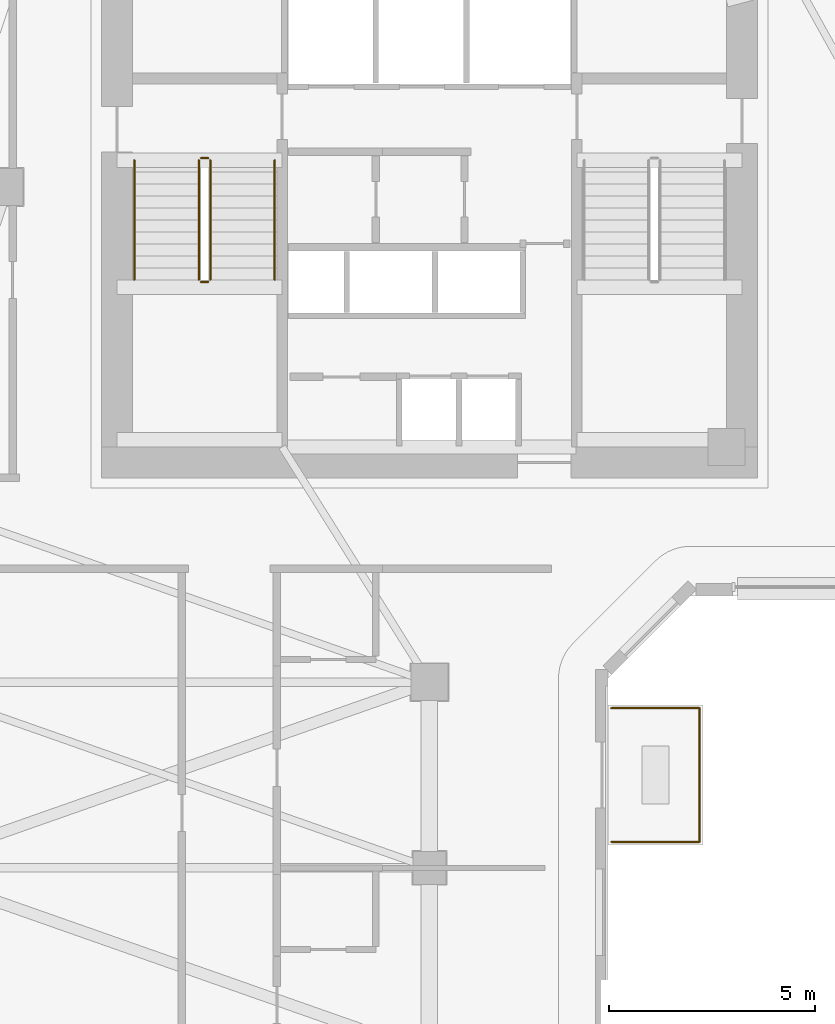
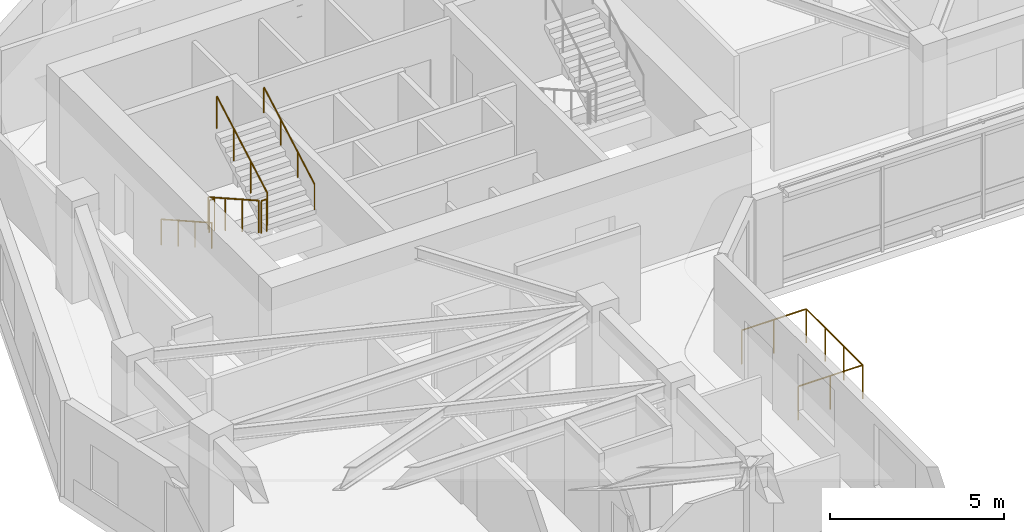
# One storey, part 8 of 10: 9 railings.
"""IFC4 building model written with IfcOpenShell, lengths in metres."""

from ifc_helpers import new_model, si_unit, direction, frame, origin, origin_2d, place, context, subcontext, project, spatial, circle, extrude, material, type_object, element, save


model = new_model("IFC4")

# Units and contexts
model_context = context("Model", 3, precision=1e-05, world=origin(), true_north=direction((0.0, 1.0)))
body_context = subcontext(model_context, "Body", "Model", "MODEL_VIEW")
ifc_project = project(units=[si_unit("LENGTHUNIT", "METRE"), si_unit("AREAUNIT", "SQUARE_METRE"), si_unit("VOLUMEUNIT", "CUBIC_METRE"), si_unit("PLANEANGLEUNIT", "RADIAN"), si_unit("MASSUNIT", "GRAM", prefix="KILO")], contexts=[model_context])

# Site, building, storey
site_placement = place(None, origin())
site = spatial("IfcSite", under=ifc_project, at=site_placement, CompositionType="ELEMENT")
building_placement = place(site_placement, origin())
building = spatial("IfcBuilding", under=site, at=building_placement, Name="Calvemar Wedge Station Tower", CompositionType="ELEMENT")
storey_placement = place(building_placement, frame((0.0, 0.0, 146.60009765625)))
storey = spatial("IfcBuildingStorey", under=building, at=storey_placement, Name="L36", CompositionType="ELEMENT", Elevation=146.60009765625)

# Railings
ifc_material_1 = material(Name="Stainless steel AISI 316L", Category="steel")
railing_type_1 = type_object("IfcRailingType", Name="GRD-TERR-1200", PredefinedType="GUARDRAIL", material=ifc_material_1)
railing_1_placement = place(storey_placement, frame((28.2080078125, 27.8701171875, 0.0)))
element("IfcRailing", 1, at=railing_1_placement, inside=storey, type_object=railing_type_1, Name="Storey L36 Spiral Terrace Guard 2", PredefinedType="GUARDRAIL", context=body_context, shape_type="SweptSolid", body=[
    extrude(circle(Radius=0.02392578125, at=origin_2d()), frame((0.0, 0.0, 1.17578125), z_axis=(1.0, 0.0, 0.0), x_axis=(0.0, 1.0, 0.0)), (0.0, 0.0, 1.0), 2.139892578125),
    extrude(circle(Radius=0.02099609375, at=origin_2d()), origin(), (0.0, 0.0, 1.0), 1.15185546875),
    extrude(circle(Radius=0.02099609375, at=origin_2d()), frame((1.06982421875, 0.0, 0.0)), (0.0, 0.0, 1.0), 1.15185546875),
    extrude(circle(Radius=0.02099609375, at=origin_2d()), frame((2.139892578125, 0.0, 0.0)), (0.0, 0.0, 1.0), 1.15185546875),
])
railing_2_placement = place(storey_placement, frame((30.347900390625, 27.8701171875, 0.0)))
element("IfcRailing", 2, at=railing_2_placement, inside=storey, type_object=railing_type_1, Name="Storey L36 Spiral Terrace Guard 3", PredefinedType="GUARDRAIL", context=body_context, shape_type="SweptSolid", body=[
    extrude(circle(Radius=0.02392578125, at=origin_2d()), frame((0.0, 0.0, 1.17578125), z_axis=(0.0, -1.0, 0.0), x_axis=(1.0, 0.0, 0.0)), (0.0, 0.0, 1.0), 3.240234375),
    extrude(circle(Radius=0.02099609375, at=origin_2d()), origin(), (0.0, 0.0, 1.0), 1.15185546875),
    extrude(circle(Radius=0.02099609375, at=origin_2d()), frame((0.0, -1.080078125, 0.0)), (0.0, 0.0, 1.0), 1.15185546875),
    extrude(circle(Radius=0.02099609375, at=origin_2d()), frame((0.0, -2.16015625, 0.0)), (0.0, 0.0, 1.0), 1.15185546875),
    extrude(circle(Radius=0.02099609375, at=origin_2d()), frame((0.0, -3.240234375, 0.0)), (0.0, 0.0, 1.0), 1.15185546875),
])
railing_3_placement = place(storey_placement, frame((30.347900390625, 24.6298828125, 0.0)))
element("IfcRailing", 3, at=railing_3_placement, inside=storey, type_object=railing_type_1, Name="Storey L36 Spiral Terrace Guard 4", PredefinedType="GUARDRAIL", context=body_context, shape_type="SweptSolid", body=[
    extrude(circle(Radius=0.02392578125, at=origin_2d()), frame((0.0, 0.0, 1.17578125), z_axis=(-1.0, 0.0, 0.0), x_axis=(0.0, -1.0, 0.0)), (0.0, 0.0, 1.0), 2.139892578125),
    extrude(circle(Radius=0.02099609375, at=origin_2d()), origin(), (0.0, 0.0, 1.0), 1.15185546875),
    extrude(circle(Radius=0.02099609375, at=origin_2d()), frame((-1.06982421875, 0.0, 0.0)), (0.0, 0.0, 1.0), 1.15185546875),
    extrude(circle(Radius=0.02099609375, at=origin_2d()), frame((-2.139892578125, 0.0, 0.0)), (0.0, 0.0, 1.0), 1.15185546875),
])
railing_type_2 = type_object("IfcRailingType", Name="RL-HANDRAIL-920", PredefinedType="HANDRAIL", material=ifc_material_1)
railing_4_placement = place(storey_placement, frame((16.64990234375, 41.14990234375, 0.16357421875)))
element("IfcRailing", 4, at=railing_4_placement, inside=storey, type_object=railing_type_2, Name="L36 ST-C1 stair handrail 1", PredefinedType="HANDRAIL", context=body_context, shape_type="SweptSolid", body=[
    extrude(circle(Radius=0.02392578125, at=origin_2d()), frame((0.0, 0.0, 0.89599609375), z_axis=(0.0, -0.870928581787, 0.491409610636), x_axis=(1.0, 0.0, 0.0)), (0.0, 0.0, 1.0), 3.32958984375),
    extrude(circle(Radius=0.02099609375, at=origin_2d()), origin(), (0.0, 0.0, 1.0), 0.871826171875),
    extrude(circle(Radius=0.02099609375, at=origin_2d()), frame((0.0, -0.966552734375, 0.54541015625)), (0.0, 0.0, 1.0), 0.871826171875),
    extrude(circle(Radius=0.02099609375, at=origin_2d()), frame((0.0, -1.933349609375, 1.0908203125)), (0.0, 0.0, 1.0), 0.871826171875),
    extrude(circle(Radius=0.02099609375, at=origin_2d()), frame((0.0, -2.89990234375, 1.63623046875)), (0.0, 0.0, 1.0), 0.871826171875),
])
railing_5_placement = place(storey_placement, frame((20.050048828125, 38.25, 1.963623046875)))
element("IfcRailing", 5, at=railing_5_placement, inside=storey, type_object=railing_type_2, Name="L36 ST-C1 stair handrail 2", PredefinedType="HANDRAIL", context=body_context, shape_type="SweptSolid", body=[
    extrude(circle(Radius=0.02392578125, at=origin_2d()), frame((0.0, 0.0, 0.89599609375), z_axis=(0.0, 0.870928581787, 0.491409610636), x_axis=(-1.0, 0.0, 0.0)), (0.0, 0.0, 1.0), 3.32958984375),
    extrude(circle(Radius=0.02099609375, at=origin_2d()), origin(), (0.0, 0.0, 1.0), 0.871826171875),
    extrude(circle(Radius=0.02099609375, at=origin_2d()), frame((0.0, 0.966552734375, 0.54541015625)), (0.0, 0.0, 1.0), 0.871826171875),
    extrude(circle(Radius=0.02099609375, at=origin_2d()), frame((0.0, 1.933349609375, 1.0908203125)), (0.0, 0.0, 1.0), 0.871826171875),
    extrude(circle(Radius=0.02099609375, at=origin_2d()), frame((0.0, 2.89990234375, 1.63623046875)), (0.0, 0.0, 1.0), 0.871826171875),
])
ifc_material_2 = material(Name="Painted steel guardrail ASTM A500 Grade C", Category="steel")
railing_type_3 = type_object("IfcRailingType", Name="RL-STAIR-GUARD-1150", PredefinedType="GUARDRAIL", material=ifc_material_2)
railing_6_placement = place(storey_placement, frame((18.2099609375, 41.14990234375, 0.16357421875)))
element("IfcRailing", 6, at=railing_6_placement, inside=storey, type_object=railing_type_3, Name="L36 ST-C1 stair guard 1", PredefinedType="GUARDRAIL", context=body_context, shape_type="SweptSolid", body=[
    extrude(circle(Radius=0.02392578125, at=origin_2d()), frame((0.0, 0.0, 1.1259765625), z_axis=(0.0, -0.870928581787, 0.491409610636), x_axis=(1.0, 0.0, 0.0)), (0.0, 0.0, 1.0), 3.32958984375),
    extrude(circle(Radius=0.02099609375, at=origin_2d()), origin(), (0.0, 0.0, 1.0), 1.101806640625),
    extrude(circle(Radius=0.02099609375, at=origin_2d()), frame((0.0, -0.966552734375, 0.54541015625)), (0.0, 0.0, 1.0), 1.101806640625),
    extrude(circle(Radius=0.02099609375, at=origin_2d()), frame((0.0, -1.933349609375, 1.0908203125)), (0.0, 0.0, 1.0), 1.101806640625),
    extrude(circle(Radius=0.02099609375, at=origin_2d()), frame((0.0, -2.89990234375, 1.63623046875)), (0.0, 0.0, 1.0), 1.101806640625),
])
railing_7_placement = place(storey_placement, frame((18.260009765625, 38.199951171875, 1.7998046875)))
element("IfcRailing", 7, at=railing_7_placement, inside=storey, type_object=railing_type_3, Name="L36 ST-C1 stair guard 2", PredefinedType="GUARDRAIL", context=body_context, shape_type="SweptSolid", body=[
    extrude(circle(Radius=0.02392578125, at=origin_2d()), frame((0.0, 0.0, 1.1259765625), z_axis=(1.0, 0.0, 0.0), x_axis=(0.0, 1.0, 0.0)), (0.0, 0.0, 1.0), 0.179931640625),
    extrude(circle(Radius=0.02099609375, at=origin_2d()), origin(), (0.0, 0.0, 1.0), 1.101806640625),
    extrude(circle(Radius=0.02099609375, at=origin_2d()), frame((0.179931640625, 0.0, 0.0)), (0.0, 0.0, 1.0), 1.101806640625),
])
railing_8_placement = place(storey_placement, frame((18.489990234375, 38.25, 1.963623046875)))
element("IfcRailing", 8, at=railing_8_placement, inside=storey, type_object=railing_type_3, Name="L36 ST-C1 stair guard 3", PredefinedType="GUARDRAIL", context=body_context, shape_type="SweptSolid", body=[
    extrude(circle(Radius=0.02392578125, at=origin_2d()), frame((0.0, 0.0, 1.1259765625), z_axis=(0.0, 0.870928581787, 0.491409610636), x_axis=(-1.0, 0.0, 0.0)), (0.0, 0.0, 1.0), 3.32958984375),
    extrude(circle(Radius=0.02099609375, at=origin_2d()), origin(), (0.0, 0.0, 1.0), 1.101806640625),
    extrude(circle(Radius=0.02099609375, at=origin_2d()), frame((0.0, 0.966552734375, 0.54541015625)), (0.0, 0.0, 1.0), 1.101806640625),
    extrude(circle(Radius=0.02099609375, at=origin_2d()), frame((0.0, 1.933349609375, 1.0908203125)), (0.0, 0.0, 1.0), 1.101806640625),
    extrude(circle(Radius=0.02099609375, at=origin_2d()), frame((0.0, 2.89990234375, 1.63623046875)), (0.0, 0.0, 1.0), 1.101806640625),
])
railing_9_placement = place(storey_placement, frame((18.260009765625, 41.199951171875, 0.0)))
element("IfcRailing", 9, at=railing_9_placement, inside=storey, type_object=railing_type_3, Name="L36 ST-C1 stair guard 4", PredefinedType="GUARDRAIL", context=body_context, shape_type="SweptSolid", body=[
    extrude(circle(Radius=0.02392578125, at=origin_2d()), frame((0.0, 0.0, 1.1259765625), z_axis=(1.0, 0.0, 0.0), x_axis=(0.0, 1.0, 0.0)), (0.0, 0.0, 1.0), 0.179931640625),
    extrude(circle(Radius=0.02099609375, at=origin_2d()), origin(), (0.0, 0.0, 1.0), 1.101806640625),
    extrude(circle(Radius=0.02099609375, at=origin_2d()), frame((0.179931640625, 0.0, 0.0)), (0.0, 0.0, 1.0), 1.101806640625),
])

save(model, "model.ifc")
